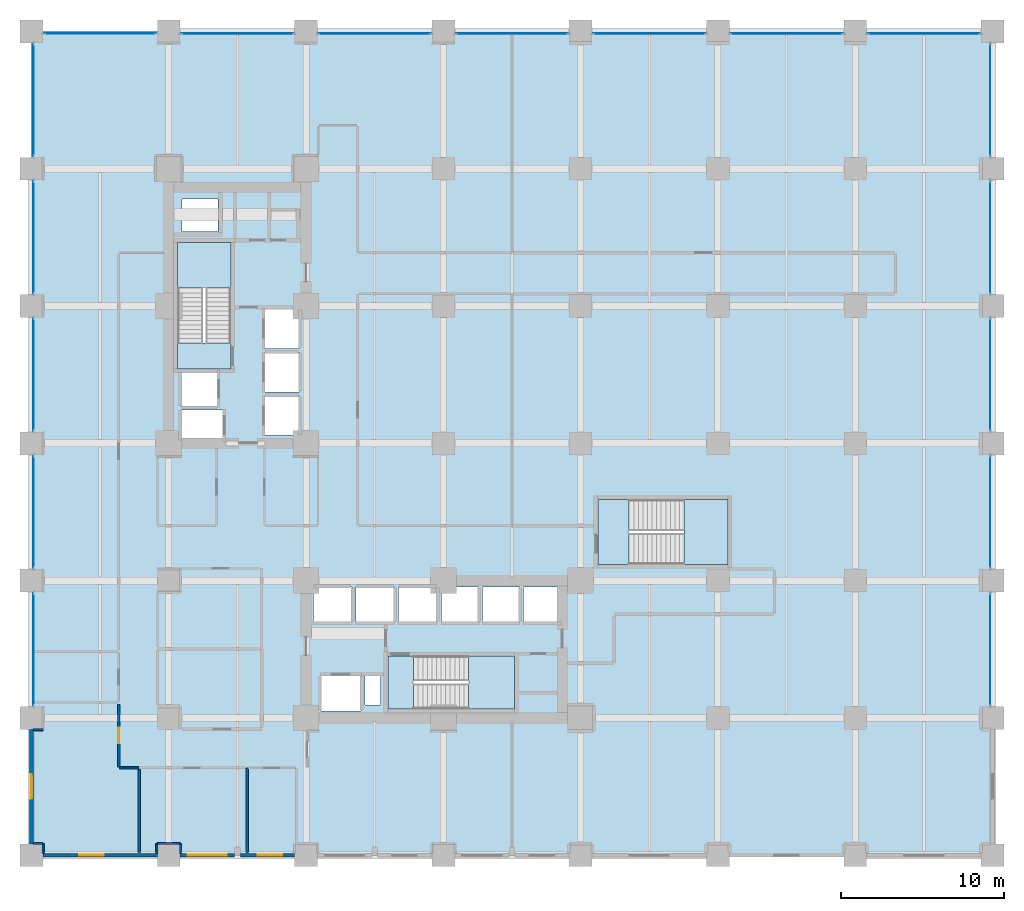
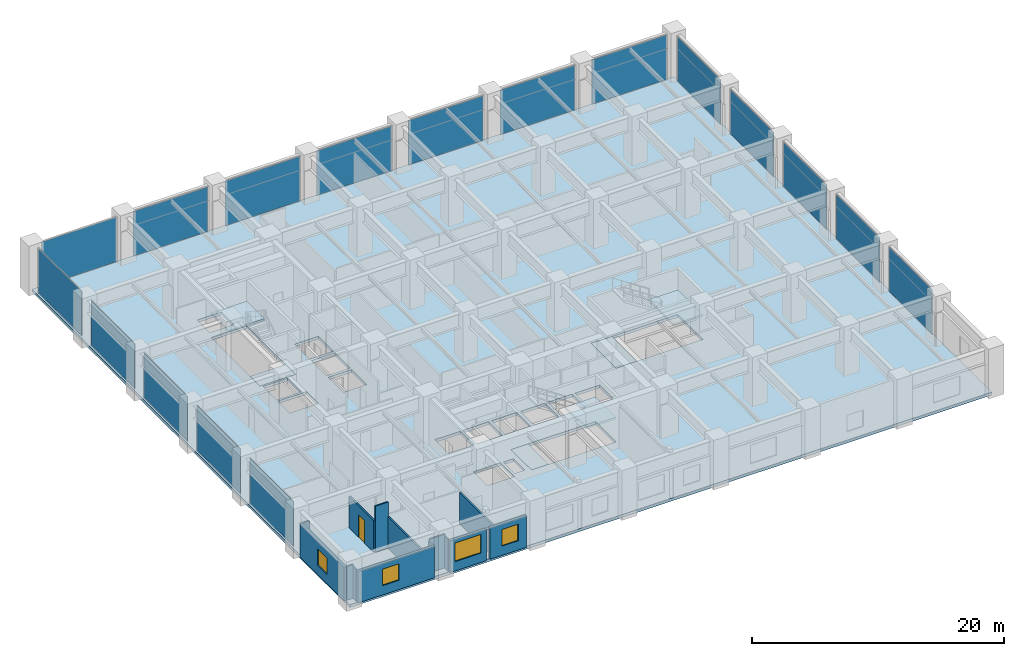
# One storey, part 18 of 24: 17 plates, 14 walls, 7 slabs, 4 windows, 1 door, 5 openings, 20 elements without a shape of their own.
"""IFC4 building model written with IfcOpenShell, lengths in metres."""

from ifc_helpers import new_model, si_unit, direction, frame, frame_2d, origin, origin_2d, place, context, subcontext, project, spatial, polyline, rectangle, outline, extrude, material, layer, layer_set, type_object, element, fill, aggregate, save


model = new_model("IFC4")

# Units and contexts
model_context = context("Model", 3, precision=1e-05, world=origin(), true_north=direction((0.0, 1.0)))
body_context = subcontext(model_context, "Body", "Model", "MODEL_VIEW")
ifc_project = project(units=[si_unit("LENGTHUNIT", "METRE"), si_unit("AREAUNIT", "SQUARE_METRE"), si_unit("VOLUMEUNIT", "CUBIC_METRE"), si_unit("PLANEANGLEUNIT", "RADIAN"), si_unit("MASSUNIT", "GRAM", prefix="KILO")], contexts=[model_context])

# Site, building, storey
site_placement = place(None, origin())
site = spatial("IfcSite", under=ifc_project, at=site_placement, CompositionType="ELEMENT")
building_placement = place(site_placement, origin())
building = spatial("IfcBuilding", under=site, at=building_placement, Name="Nerrivon Quay Data Exchange", CompositionType="ELEMENT")
storey_placement = place(building_placement, frame((0.0, 0.0, 15.0)))
storey = spatial("IfcBuildingStorey", under=building, at=storey_placement, Name="L03", CompositionType="ELEMENT", Elevation=15.0)

# Curtain wall, plate
ifc_material_1 = material(Name="Anodised aluminium 6063-T6", Category="aluminium")
ifc_layer_1 = layer(ifc_material_1, 0.239990234375)
ifc_layer_set_1 = layer_set([ifc_layer_1], Name="Anodised aluminium 6063-T6")
curtain_wall_type = type_object("IfcCurtainWallType", Name="CW-SYS-03", PredefinedType="NOTDEFINED", material=ifc_layer_set_1)
curtain_wall_1_placement = place(storey_placement, origin())
curtain_wall_1 = element("IfcCurtainWall", 1, at=curtain_wall_1_placement, inside=storey, type_object=curtain_wall_type, Name="L03 Unitised Curtain Wall 2", PredefinedType="NOTDEFINED")
ifc_material_2 = material(Name="Double-glazed low-E solar control glass", Category="glass")
ifc_layer_2 = layer(ifc_material_2, 0.031982421875)
ifc_layer_set_2 = layer_set([ifc_layer_2], Name="Double-glazed low-E solar control glass")
plate_type = type_object("IfcPlateType", Name="CWP-GLZ-32", PredefinedType="CURTAIN_PANEL", material=ifc_layer_set_2)
plate_1_placement = place(storey_placement, frame((0.139892578125, 12.60009765625, 0.06494140625), z_axis=(0.0, 0.0, 1.0), x_axis=(0.0, 1.0, 0.0)))
plate_1 = element("IfcPlate", 2, at=plate_1_placement, type_object=plate_type, Name="CW03 panel 1.1", PredefinedType="CURTAIN_PANEL", context=body_context, shape_type="SweptSolid", body=[
    extrude(rectangle(XDim=6.85009765625, YDim=0.028076171875, at=origin_2d()), origin(), (0.0, 0.0, 1.0), 4.320068359375),
])
aggregate(curtain_wall_1, [plate_1])

curtain_wall_2_placement = place(storey_placement, origin())
curtain_wall_2 = element("IfcCurtainWall", 3, at=curtain_wall_2_placement, inside=storey, type_object=curtain_wall_type, Name="L03 Unitised Curtain Wall 3", PredefinedType="NOTDEFINED")
plate_2_placement = place(storey_placement, frame((0.139892578125, 21.0, 0.06494140625), z_axis=(0.0, 0.0, 1.0), x_axis=(0.0, 1.0, 0.0)))
plate_2 = element("IfcPlate", 4, at=plate_2_placement, type_object=plate_type, Name="CW03 panel 1.1", PredefinedType="CURTAIN_PANEL", context=body_context, shape_type="SweptSolid", body=[
    extrude(rectangle(XDim=6.85009765625, YDim=0.028076171875, at=origin_2d()), origin(), (0.0, 0.0, 1.0), 4.320068359375),
])
aggregate(curtain_wall_2, [plate_2])

curtain_wall_3_placement = place(storey_placement, origin())
curtain_wall_3 = element("IfcCurtainWall", 5, at=curtain_wall_3_placement, inside=storey, type_object=curtain_wall_type, Name="L03 Unitised Curtain Wall 4", PredefinedType="NOTDEFINED")
plate_3_placement = place(storey_placement, frame((0.139892578125, 29.39990234375, 0.06494140625), z_axis=(0.0, 0.0, 1.0), x_axis=(0.0, 1.0, 0.0)))
plate_3 = element("IfcPlate", 6, at=plate_3_placement, type_object=plate_type, Name="CW03 panel 1.1", PredefinedType="CURTAIN_PANEL", context=body_context, shape_type="SweptSolid", body=[
    extrude(rectangle(XDim=6.85009765625, YDim=0.028076171875, at=origin_2d()), origin(), (0.0, 0.0, 1.0), 4.320068359375),
])
aggregate(curtain_wall_3, [plate_3])

curtain_wall_4_placement = place(storey_placement, origin())
curtain_wall_4 = element("IfcCurtainWall", 7, at=curtain_wall_4_placement, inside=storey, type_object=curtain_wall_type, Name="L03 Unitised Curtain Wall 5", PredefinedType="NOTDEFINED")
plate_4_placement = place(storey_placement, frame((0.139892578125, 37.800048828125, 0.06494140625), z_axis=(0.0, 0.0, 1.0), x_axis=(0.0, 1.0, 0.0)))
plate_4 = element("IfcPlate", 8, at=plate_4_placement, type_object=plate_type, Name="CW03 panel 1.1", PredefinedType="CURTAIN_PANEL", context=body_context, shape_type="SweptSolid", body=[
    extrude(rectangle(XDim=6.85009765625, YDim=0.028076171875, at=origin_2d()), origin(), (0.0, 0.0, 1.0), 4.320068359375),
])
aggregate(curtain_wall_4, [plate_4])

curtain_wall_5_placement = place(storey_placement, origin())
curtain_wall_5 = element("IfcCurtainWall", 9, at=curtain_wall_5_placement, inside=storey, type_object=curtain_wall_type, Name="L03 Unitised Curtain Wall 6", PredefinedType="NOTDEFINED")
plate_5_placement = place(storey_placement, frame((0.139892578125, 46.199951171875, 0.06494140625), z_axis=(0.0, 0.0, 1.0), x_axis=(0.0, 1.0, 0.0)))
plate_5 = element("IfcPlate", 10, at=plate_5_placement, type_object=plate_type, Name="CW03 panel 1.1", PredefinedType="CURTAIN_PANEL", context=body_context, shape_type="SweptSolid", body=[
    extrude(rectangle(XDim=6.85009765625, YDim=0.028076171875, at=origin_2d()), origin(), (0.0, 0.0, 1.0), 4.320068359375),
])
aggregate(curtain_wall_5, [plate_5])

curtain_wall_6_placement = place(storey_placement, origin())
curtain_wall_6 = element("IfcCurtainWall", 11, at=curtain_wall_6_placement, inside=storey, type_object=curtain_wall_type, Name="L03 Unitised Curtain Wall 7", PredefinedType="NOTDEFINED")
plate_6_placement = place(storey_placement, frame((4.199951171875, 50.260009765625, 0.06494140625), z_axis=(0.0, 0.0, 1.0), x_axis=(1.0, 0.0, 0.0)))
plate_6 = element("IfcPlate", 12, at=plate_6_placement, type_object=plate_type, Name="CW03 panel 1.1", PredefinedType="CURTAIN_PANEL", context=body_context, shape_type="SweptSolid", body=[
    extrude(rectangle(XDim=6.85009765625, YDim=0.028076171875, at=origin_2d()), origin(), (0.0, 0.0, 1.0), 4.320068359375),
])
aggregate(curtain_wall_6, [plate_6])

curtain_wall_7_placement = place(storey_placement, origin())
curtain_wall_7 = element("IfcCurtainWall", 13, at=curtain_wall_7_placement, inside=storey, type_object=curtain_wall_type, Name="L03 Unitised Curtain Wall 8", PredefinedType="NOTDEFINED")
plate_7_placement = place(storey_placement, frame((12.60009765625, 50.260009765625, 0.06494140625), z_axis=(0.0, 0.0, 1.0), x_axis=(1.0, 0.0, 0.0)))
plate_7 = element("IfcPlate", 14, at=plate_7_placement, type_object=plate_type, Name="CW03 panel 1.1", PredefinedType="CURTAIN_PANEL", context=body_context, shape_type="SweptSolid", body=[
    extrude(rectangle(XDim=6.85009765625, YDim=0.028076171875, at=origin_2d()), origin(), (0.0, 0.0, 1.0), 4.320068359375),
])
aggregate(curtain_wall_7, [plate_7])

curtain_wall_8_placement = place(storey_placement, origin())
curtain_wall_8 = element("IfcCurtainWall", 15, at=curtain_wall_8_placement, inside=storey, type_object=curtain_wall_type, Name="L03 Unitised Curtain Wall 9", PredefinedType="NOTDEFINED")
plate_8_placement = place(storey_placement, frame((21.0, 50.260009765625, 0.06494140625), z_axis=(0.0, 0.0, 1.0), x_axis=(1.0, 0.0, 0.0)))
plate_8 = element("IfcPlate", 16, at=plate_8_placement, type_object=plate_type, Name="CW03 panel 1.1", PredefinedType="CURTAIN_PANEL", context=body_context, shape_type="SweptSolid", body=[
    extrude(rectangle(XDim=6.85009765625, YDim=0.028076171875, at=origin_2d()), origin(), (0.0, 0.0, 1.0), 4.320068359375),
])
aggregate(curtain_wall_8, [plate_8])

curtain_wall_9_placement = place(storey_placement, origin())
curtain_wall_9 = element("IfcCurtainWall", 17, at=curtain_wall_9_placement, inside=storey, type_object=curtain_wall_type, Name="L03 Unitised Curtain Wall 10", PredefinedType="NOTDEFINED")
plate_9_placement = place(storey_placement, frame((29.39990234375, 50.260009765625, 0.06494140625), z_axis=(0.0, 0.0, 1.0), x_axis=(1.0, 0.0, 0.0)))
plate_9 = element("IfcPlate", 18, at=plate_9_placement, type_object=plate_type, Name="CW03 panel 1.1", PredefinedType="CURTAIN_PANEL", context=body_context, shape_type="SweptSolid", body=[
    extrude(rectangle(XDim=6.85009765625, YDim=0.028076171875, at=origin_2d()), origin(), (0.0, 0.0, 1.0), 4.320068359375),
])
aggregate(curtain_wall_9, [plate_9])

curtain_wall_10_placement = place(storey_placement, origin())
curtain_wall_10 = element("IfcCurtainWall", 19, at=curtain_wall_10_placement, inside=storey, type_object=curtain_wall_type, Name="L03 Unitised Curtain Wall 11", PredefinedType="NOTDEFINED")
plate_10_placement = place(storey_placement, frame((37.800048828125, 50.260009765625, 0.06494140625), z_axis=(0.0, 0.0, 1.0), x_axis=(1.0, 0.0, 0.0)))
plate_10 = element("IfcPlate", 20, at=plate_10_placement, type_object=plate_type, Name="CW03 panel 1.1", PredefinedType="CURTAIN_PANEL", context=body_context, shape_type="SweptSolid", body=[
    extrude(rectangle(XDim=6.85009765625, YDim=0.028076171875, at=origin_2d()), origin(), (0.0, 0.0, 1.0), 4.320068359375),
])
aggregate(curtain_wall_10, [plate_10])

curtain_wall_11_placement = place(storey_placement, origin())
curtain_wall_11 = element("IfcCurtainWall", 21, at=curtain_wall_11_placement, inside=storey, type_object=curtain_wall_type, Name="L03 Unitised Curtain Wall 12", PredefinedType="NOTDEFINED")
plate_11_placement = place(storey_placement, frame((46.199951171875, 50.260009765625, 0.06494140625), z_axis=(0.0, 0.0, 1.0), x_axis=(1.0, 0.0, 0.0)))
plate_11 = element("IfcPlate", 22, at=plate_11_placement, type_object=plate_type, Name="CW03 panel 1.1", PredefinedType="CURTAIN_PANEL", context=body_context, shape_type="SweptSolid", body=[
    extrude(rectangle(XDim=6.85009765625, YDim=0.028076171875, at=origin_2d()), origin(), (0.0, 0.0, 1.0), 4.320068359375),
])
aggregate(curtain_wall_11, [plate_11])

curtain_wall_12_placement = place(storey_placement, origin())
curtain_wall_12 = element("IfcCurtainWall", 23, at=curtain_wall_12_placement, inside=storey, type_object=curtain_wall_type, Name="L03 Unitised Curtain Wall 13", PredefinedType="NOTDEFINED")
plate_12_placement = place(storey_placement, frame((54.60009765625, 50.260009765625, 0.06494140625), z_axis=(0.0, 0.0, 1.0), x_axis=(1.0, 0.0, 0.0)))
plate_12 = element("IfcPlate", 24, at=plate_12_placement, type_object=plate_type, Name="CW03 panel 1.1", PredefinedType="CURTAIN_PANEL", context=body_context, shape_type="SweptSolid", body=[
    extrude(rectangle(XDim=6.85009765625, YDim=0.028076171875, at=origin_2d()), origin(), (0.0, 0.0, 1.0), 4.320068359375),
])
aggregate(curtain_wall_12, [plate_12])

curtain_wall_13_placement = place(storey_placement, origin())
curtain_wall_13 = element("IfcCurtainWall", 25, at=curtain_wall_13_placement, inside=storey, type_object=curtain_wall_type, Name="L03 Unitised Curtain Wall 14", PredefinedType="NOTDEFINED")
plate_13_placement = place(storey_placement, frame((58.659912109375, 46.199951171875, 0.06494140625), z_axis=(0.0, 0.0, 1.0), x_axis=(0.0, -1.0, 0.0)))
plate_13 = element("IfcPlate", 26, at=plate_13_placement, type_object=plate_type, Name="CW03 panel 1.1", PredefinedType="CURTAIN_PANEL", context=body_context, shape_type="SweptSolid", body=[
    extrude(rectangle(XDim=6.85009765625, YDim=0.028076171875, at=origin_2d()), origin(), (0.0, 0.0, 1.0), 4.320068359375),
])
aggregate(curtain_wall_13, [plate_13])

curtain_wall_14_placement = place(storey_placement, origin())
curtain_wall_14 = element("IfcCurtainWall", 27, at=curtain_wall_14_placement, inside=storey, type_object=curtain_wall_type, Name="L03 Unitised Curtain Wall 15", PredefinedType="NOTDEFINED")
plate_14_placement = place(storey_placement, frame((58.659912109375, 37.800048828125, 0.06494140625), z_axis=(0.0, 0.0, 1.0), x_axis=(0.0, -1.0, 0.0)))
plate_14 = element("IfcPlate", 28, at=plate_14_placement, type_object=plate_type, Name="CW03 panel 1.1", PredefinedType="CURTAIN_PANEL", context=body_context, shape_type="SweptSolid", body=[
    extrude(rectangle(XDim=6.85009765625, YDim=0.028076171875, at=origin_2d()), origin(), (0.0, 0.0, 1.0), 4.320068359375),
])
aggregate(curtain_wall_14, [plate_14])

curtain_wall_15_placement = place(storey_placement, origin())
curtain_wall_15 = element("IfcCurtainWall", 29, at=curtain_wall_15_placement, inside=storey, type_object=curtain_wall_type, Name="L03 Unitised Curtain Wall 16", PredefinedType="NOTDEFINED")
plate_15_placement = place(storey_placement, frame((58.659912109375, 29.39990234375, 0.06494140625), z_axis=(0.0, 0.0, 1.0), x_axis=(0.0, -1.0, 0.0)))
plate_15 = element("IfcPlate", 30, at=plate_15_placement, type_object=plate_type, Name="CW03 panel 1.1", PredefinedType="CURTAIN_PANEL", context=body_context, shape_type="SweptSolid", body=[
    extrude(rectangle(XDim=6.85009765625, YDim=0.028076171875, at=origin_2d()), origin(), (0.0, 0.0, 1.0), 4.320068359375),
])
aggregate(curtain_wall_15, [plate_15])

curtain_wall_16_placement = place(storey_placement, origin())
curtain_wall_16 = element("IfcCurtainWall", 31, at=curtain_wall_16_placement, inside=storey, type_object=curtain_wall_type, Name="L03 Unitised Curtain Wall 17", PredefinedType="NOTDEFINED")
plate_16_placement = place(storey_placement, frame((58.659912109375, 21.0, 0.06494140625), z_axis=(0.0, 0.0, 1.0), x_axis=(0.0, -1.0, 0.0)))
plate_16 = element("IfcPlate", 32, at=plate_16_placement, type_object=plate_type, Name="CW03 panel 1.1", PredefinedType="CURTAIN_PANEL", context=body_context, shape_type="SweptSolid", body=[
    extrude(rectangle(XDim=6.85009765625, YDim=0.028076171875, at=origin_2d()), origin(), (0.0, 0.0, 1.0), 4.320068359375),
])
aggregate(curtain_wall_16, [plate_16])

curtain_wall_17_placement = place(storey_placement, origin())
curtain_wall_17 = element("IfcCurtainWall", 33, at=curtain_wall_17_placement, inside=storey, type_object=curtain_wall_type, Name="L03 Unitised Curtain Wall 18", PredefinedType="NOTDEFINED")
plate_17_placement = place(storey_placement, frame((58.659912109375, 12.60009765625, 0.06494140625), z_axis=(0.0, 0.0, 1.0), x_axis=(0.0, -1.0, 0.0)))
plate_17 = element("IfcPlate", 34, at=plate_17_placement, type_object=plate_type, Name="CW03 panel 1.1", PredefinedType="CURTAIN_PANEL", context=body_context, shape_type="SweptSolid", body=[
    extrude(rectangle(XDim=6.85009765625, YDim=0.028076171875, at=origin_2d()), origin(), (0.0, 0.0, 1.0), 4.320068359375),
])
aggregate(curtain_wall_17, [plate_17])

# Stair, slab
ifc_material_3 = material(Name="Concrete N50 (50 MPa)", Category="concrete")
stair_type = type_object("IfcStairType", Name="STAIR-DOG-48", PredefinedType="HALF_TURN_STAIR", material=ifc_material_3)
stair_1_placement = place(storey_placement, origin())
stair_1 = element("IfcStair", 35, at=stair_1_placement, inside=storey, type_object=stair_type, Name="L03 West Core Fire Stair ST01", PredefinedType="HALF_TURN_STAIR")
ifc_layer_3 = layer(ifc_material_3, 0.199951171875)
ifc_layer_set_3 = layer_set([ifc_layer_3], Name="Concrete N50 (50 MPa)")
slab_type_1 = type_object("IfcSlabType", Name="SLB-LAND-200", PredefinedType="LANDING", material=ifc_layer_set_3)
slab_1_placement = place(storey_placement, frame((0.0, 0.0, 2.199951171875)))
slab_1 = element("IfcSlab", 36, at=slab_1_placement, type_object=slab_type_1, Name="ST01 landing 1", PredefinedType="LANDING", context=body_context, shape_type="SweptSolid", body=[
    extrude(outline(polyline([(12.199951171875, 34.68994140625), (12.199951171875, 37.5), (8.949951171875, 37.5), (8.949951171875, 34.68994140625), (12.199951171875, 34.68994140625)])), origin(), (0.0, 0.0, 1.0), 0.199951171875),
])
aggregate(stair_1, [slab_1])

# Slab
slab_2_placement = place(storey_placement, frame((0.0, 0.0, -0.199951171875)))
element("IfcSlab", 37, at=slab_2_placement, inside=storey, type_object=slab_type_1, Name="L03 ST01 floor landing", PredefinedType="LANDING", context=body_context, shape_type="SweptSolid", body=[
    extrude(outline(polyline([(12.199951171875, 29.75), (12.199951171875, 31.330078125), (8.949951171875, 31.330078125), (8.949951171875, 29.75), (12.199951171875, 29.75)])), origin(), (0.0, 0.0, 1.0), 0.199951171875),
])

# Stair, slab
stair_2_placement = place(storey_placement, origin())
stair_2 = element("IfcStair", 38, at=stair_2_placement, inside=storey, type_object=stair_type, Name="L03 East Core Fire Stair ST02", PredefinedType="HALF_TURN_STAIR")
slab_3_placement = place(storey_placement, frame((0.0, 0.0, 2.199951171875)))
slab_3 = element("IfcSlab", 39, at=slab_3_placement, type_object=slab_type_1, Name="ST02 landing 1", PredefinedType="LANDING", context=body_context, shape_type="SweptSolid", body=[
    extrude(outline(polyline([(26.739990234375, 8.949951171875), (29.550048828125, 8.949951171875), (29.550048828125, 12.199951171875), (26.739990234375, 12.199951171875), (26.739990234375, 8.949951171875)])), origin(), (0.0, 0.0, 1.0), 0.199951171875),
])
aggregate(stair_2, [slab_3])

# Slab
slab_4_placement = place(storey_placement, frame((0.0, 0.0, -0.199951171875)))
element("IfcSlab", 40, at=slab_4_placement, inside=storey, type_object=slab_type_1, Name="L03 ST02 floor landing", PredefinedType="LANDING", context=body_context, shape_type="SweptSolid", body=[
    extrude(outline(polyline([(21.800048828125, 8.949951171875), (23.3798828125, 8.949951171875), (23.3798828125, 12.199951171875), (21.800048828125, 12.199951171875), (21.800048828125, 8.949951171875)])), origin(), (0.0, 0.0, 1.0), 0.199951171875),
])

# Stair, slab
stair_3_placement = place(storey_placement, origin())
stair_3 = element("IfcStair", 41, at=stair_3_placement, inside=storey, type_object=stair_type, Name="L03 Podium Exit Stair ST03", PredefinedType="HALF_TURN_STAIR")
slab_5_placement = place(storey_placement, frame((0.0, 0.0, 2.199951171875)))
slab_5 = element("IfcSlab", 42, at=slab_5_placement, type_object=slab_type_1, Name="ST03 landing 1", PredefinedType="LANDING", context=body_context, shape_type="SweptSolid", body=[
    extrude(outline(polyline([(39.929931640625, 17.800048828125), (42.60009765625, 17.800048828125), (42.60009765625, 21.75), (39.929931640625, 21.75), (39.929931640625, 17.800048828125)])), origin(), (0.0, 0.0, 1.0), 0.199951171875),
])
aggregate(stair_3, [slab_5])

# Slabs
slab_6_placement = place(storey_placement, frame((0.0, 0.0, -0.199951171875)))
element("IfcSlab", 43, at=slab_6_placement, inside=storey, type_object=slab_type_1, Name="L03 ST03 floor landing", PredefinedType="LANDING", context=body_context, shape_type="SweptSolid", body=[
    extrude(outline(polyline([(34.64990234375, 17.800048828125), (36.570068359375, 17.800048828125), (36.570068359375, 21.75), (34.64990234375, 21.75), (34.64990234375, 17.800048828125)])), origin(), (0.0, 0.0, 1.0), 0.199951171875),
])
ifc_layer_4 = layer(ifc_material_3, 0.320068359375)
ifc_layer_set_4 = layer_set([ifc_layer_4], Name="Concrete N50 (50 MPa)")
slab_type_2 = type_object("IfcSlabType", Name="SLB-POD-320", PredefinedType="FLOOR", material=ifc_layer_set_4)
slab_7_placement = place(storey_placement, frame((0.0, 0.0, -0.27490234375)))
element("IfcSlab", 44, at=slab_7_placement, inside=storey, type_object=slab_type_2, Name="L03 Primary Structural Slab", PredefinedType="FLOOR", context=body_context, shape_type="SweptSolid", body=[
    extrude(outline(polyline([(58.800048828125, 0.0), (58.800048828125, 50.39990234375), (0.0, 50.39990234375), (0.0, 0.0), (58.800048828125, 0.0)]), holes=[polyline([(8.949951171875, 29.75), (8.949951171875, 37.5), (12.199951171875, 37.5), (12.199951171875, 29.75), (8.949951171875, 29.75)]), polyline([(21.800048828125, 12.199951171875), (29.550048828125, 12.199951171875), (29.550048828125, 8.949951171875), (21.800048828125, 8.949951171875), (21.800048828125, 12.199951171875)]), polyline([(34.64990234375, 21.75), (42.60009765625, 21.75), (42.60009765625, 17.800048828125), (34.64990234375, 17.800048828125), (34.64990234375, 21.75)]), polyline([(30.10009765625, 16.39990234375), (32.35009765625, 16.39990234375), (32.35009765625, 14.25), (30.10009765625, 14.25), (30.10009765625, 16.39990234375)]), polyline([(27.60009765625, 16.39990234375), (29.85009765625, 16.39990234375), (29.85009765625, 14.25), (27.60009765625, 14.25), (27.60009765625, 16.39990234375)]), polyline([(25.10009765625, 16.39990234375), (27.35009765625, 16.39990234375), (27.35009765625, 14.25), (25.10009765625, 14.25), (25.10009765625, 16.39990234375)]), polyline([(22.449951171875, 16.39990234375), (24.800048828125, 16.39990234375), (24.800048828125, 14.25), (22.449951171875, 14.25), (22.449951171875, 16.39990234375)]), polyline([(19.85009765625, 16.39990234375), (22.199951171875, 16.39990234375), (22.199951171875, 14.25), (19.85009765625, 14.25), (19.85009765625, 16.39990234375)]), polyline([(20.39990234375, 11.0), (21.35009765625, 11.0), (21.35009765625, 9.199951171875), (20.39990234375, 9.199951171875), (20.39990234375, 11.0)]), polyline([(17.699951171875, 8.830078125), (17.699951171875, 11.030029296875), (20.14990234375, 11.030029296875), (20.14990234375, 8.830078125), (17.699951171875, 8.830078125)]), polyline([(17.25, 14.25), (17.25, 16.39990234375), (19.60009765625, 16.39990234375), (19.60009765625, 14.25), (17.25, 14.25)]), polyline([(14.25, 28.10009765625), (16.39990234375, 28.10009765625), (16.39990234375, 25.699951171875), (14.25, 25.699951171875), (14.25, 28.10009765625)]), polyline([(14.25, 30.75), (16.39990234375, 30.75), (16.39990234375, 28.35009765625), (14.25, 28.35009765625), (14.25, 30.75)]), polyline([(14.25, 33.39990234375), (16.39990234375, 33.39990234375), (16.39990234375, 31.0), (14.25, 31.0), (14.25, 33.39990234375)]), polyline([(9.14990234375, 27.25), (11.75, 27.25), (11.75, 25.35009765625), (9.14990234375, 25.35009765625), (9.14990234375, 27.25)]), polyline([(9.14990234375, 29.60009765625), (11.39990234375, 29.60009765625), (11.39990234375, 27.449951171875), (9.14990234375, 27.449951171875), (9.14990234375, 29.60009765625)]), polyline([(9.199951171875, 40.14990234375), (11.39990234375, 40.14990234375), (11.39990234375, 38.14990234375), (9.199951171875, 38.14990234375), (9.199951171875, 40.14990234375)])]), origin(), (0.0, 0.0, 1.0), 0.27490234375),
])

# Wall, opening, window
ifc_material_4 = material(Name="Architectural terracotta precast concrete N50 (50 MPa)", Category="masonry")
ifc_layer_5 = layer(ifc_material_4, 0.239990234375)
ifc_layer_set_5 = layer_set([ifc_layer_5], Name="Architectural terracotta precast concrete N50 (50 MPa)")
wall_type_1 = type_object("IfcWallType", Name="EW-PREC-240", PredefinedType="STANDARD", material=ifc_layer_set_5)
wall_1_placement = place(storey_placement, frame((0.0, 0.699951171875, 0.0), z_axis=(0.0, 0.0, 1.0), x_axis=(0.0, 1.0, 0.0)))
wall_1 = element("IfcWall", 45, at=wall_1_placement, inside=storey, type_object=wall_type_1, Name="L03 Podium Precast Spandrel Wall 1", PredefinedType="STANDARD", context=body_context, shape_type="SweptSolid", body=[
    extrude(rectangle(XDim=7.0, YDim=0.239990234375, at=frame_2d((3.5, 0.0))), origin(), (0.0, 0.0, 1.0), 3.25),
])
opening_1_placement = place(wall_1_placement, frame((2.75, 0.0, 0.89990234375)))
opening_1 = element("IfcOpeningElement", 46, at=opening_1_placement, cuts=wall_1, Name="Opening WN4", PredefinedType="OPENING", context=body_context, shape_type="SweptSolid", body=[
    extrude(rectangle(XDim=1.5, YDim=1.60009765625, at=frame_2d((0.75, 0.800048828125))), frame((0.0, 0.1298828125, 0.0), z_axis=(0.0, -1.0, 0.0), x_axis=(1.0, 0.0, 0.0)), (0.0, 0.0, 1.0), 0.260009765625),
])
window_type_1 = type_object("IfcWindowType", Name="WIN-W4-1500x1600", PartitioningType="SINGLE_PANEL", PredefinedType="WINDOW", material=ifc_material_2)
window_1_placement = place(opening_1_placement, origin())
window_1 = element("IfcWindow", 47, at=window_1_placement, inside=storey, type_object=window_type_1, Name="L03 Solar Facade Window 1", OverallHeight=1.60009765625, OverallWidth=1.5, PartitioningType="SINGLE_PANEL", PredefinedType="WINDOW", context=body_context, shape_type="SweptSolid", body=[
    extrude(rectangle(XDim=1.5, YDim=1.60009765625, at=frame_2d((0.75, 0.800048828125))), frame((0.0, 0.030029296875, 0.0), z_axis=(0.0, -1.0, 0.0), x_axis=(1.0, 0.0, 0.0)), (0.0, 0.0, 1.0), 0.06005859375),
])
fill(opening_1, window_1)

wall_2_placement = place(storey_placement, frame((16.10009765625, 0.0, 0.0), z_axis=(0.0, 0.0, 1.0), x_axis=(-1.0, 0.0, 0.0)))
wall_2 = element("IfcWall", 48, at=wall_2_placement, inside=storey, type_object=wall_type_1, Name="L03 Podium Precast Spandrel Wall 27", PredefinedType="STANDARD", context=body_context, shape_type="SweptSolid", body=[
    extrude(rectangle(XDim=3.3251953125, YDim=0.239990234375, at=frame_2d((1.66259765625, 0.0))), origin(), (0.0, 0.0, 1.0), 3.050048828125),
])
opening_2_placement = place(wall_2_placement, frame((0.7451171875, 0.0, 0.89990234375)))
opening_2 = element("IfcOpeningElement", 49, at=opening_2_placement, cuts=wall_2, Name="Opening WN4", PredefinedType="OPENING", context=body_context, shape_type="SweptSolid", body=[
    extrude(rectangle(XDim=1.5, YDim=1.60009765625, at=frame_2d((0.75, 0.800048828125))), frame((0.0, 0.1298828125, 0.0), z_axis=(0.0, -1.0, 0.0), x_axis=(1.0, 0.0, 0.0)), (0.0, 0.0, 1.0), 0.260009765625),
])
window_2_placement = place(opening_2_placement, origin())
window_2 = element("IfcWindow", 50, at=window_2_placement, inside=storey, type_object=window_type_1, Name="L03 Solar Facade Window 27", OverallHeight=1.60009765625, OverallWidth=1.5, PartitioningType="SINGLE_PANEL", PredefinedType="WINDOW", context=body_context, shape_type="SweptSolid", body=[
    extrude(rectangle(XDim=1.5, YDim=1.60009765625, at=frame_2d((0.75, 0.800048828125))), frame((0.0, 0.030029296875, 0.0), z_axis=(0.0, -1.0, 0.0), x_axis=(1.0, 0.0, 0.0)), (0.0, 0.0, 1.0), 0.06005859375),
])
fill(opening_2, window_2)

wall_3_placement = place(storey_placement, frame((12.425048828125, 0.0, 0.0), z_axis=(0.0, 0.0, 1.0), x_axis=(-1.0, 0.0, 0.0)))
wall_3 = element("IfcWall", 51, at=wall_3_placement, inside=storey, type_object=wall_type_1, Name="L03 Podium Precast Spandrel Wall 28", PredefinedType="STANDARD", context=body_context, shape_type="SweptSolid", body=[
    extrude(rectangle(XDim=3.324951171875, YDim=0.239990234375, at=frame_2d((1.66259765625, 0.0))), origin(), (0.0, 0.0, 1.0), 3.050048828125),
])
opening_3_placement = place(wall_3_placement, frame((0.46240234375, 0.0, 0.89990234375)))
opening_3 = element("IfcOpeningElement", 52, at=opening_3_placement, cuts=wall_3, Name="Opening WN1", PredefinedType="OPENING", context=body_context, shape_type="SweptSolid", body=[
    extrude(rectangle(XDim=2.39990234375, YDim=1.800048828125, at=frame_2d((1.199951171875, 0.89990234375))), frame((0.0, 0.1298828125, 0.0), z_axis=(0.0, -1.0, 0.0), x_axis=(1.0, 0.0, 0.0)), (0.0, 0.0, 1.0), 0.260009765625),
])
window_type_2 = type_object("IfcWindowType", Name="WIN-W1-2400x1800", PartitioningType="SINGLE_PANEL", PredefinedType="WINDOW", material=ifc_material_2)
window_3_placement = place(opening_3_placement, origin())
window_3 = element("IfcWindow", 53, at=window_3_placement, inside=storey, type_object=window_type_2, Name="L03 Solar Facade Window 28", OverallHeight=1.800048828125, OverallWidth=2.39990234375, PartitioningType="SINGLE_PANEL", PredefinedType="WINDOW", context=body_context, shape_type="SweptSolid", body=[
    extrude(rectangle(XDim=2.39990234375, YDim=1.800048828125, at=frame_2d((1.199951171875, 0.89990234375))), frame((0.0, 0.030029296875, 0.0), z_axis=(0.0, -1.0, 0.0), x_axis=(1.0, 0.0, 0.0)), (0.0, 0.0, 1.0), 0.06005859375),
])
fill(opening_3, window_3)

wall_4_placement = place(storey_placement, frame((7.699951171875, 0.0, 0.0), z_axis=(0.0, 0.0, 1.0), x_axis=(-1.0, 0.0, 0.0)))
wall_4 = element("IfcWall", 54, at=wall_4_placement, inside=storey, type_object=wall_type_1, Name="L03 Podium Precast Spandrel Wall 29", PredefinedType="STANDARD", context=body_context, shape_type="SweptSolid", body=[
    extrude(rectangle(XDim=7.0, YDim=0.239990234375, at=frame_2d((3.5, 0.0))), origin(), (0.0, 0.0, 1.0), 3.050048828125),
])
opening_4_placement = place(wall_4_placement, frame((3.27001953125, 0.0, 0.89990234375)))
opening_4 = element("IfcOpeningElement", 55, at=opening_4_placement, cuts=wall_4, Name="Opening WN4", PredefinedType="OPENING", context=body_context, shape_type="SweptSolid", body=[
    extrude(rectangle(XDim=1.5, YDim=1.60009765625, at=frame_2d((0.75, 0.800048828125))), frame((0.0, 0.1298828125, 0.0), z_axis=(0.0, -1.0, 0.0), x_axis=(1.0, 0.0, 0.0)), (0.0, 0.0, 1.0), 0.260009765625),
])
window_4_placement = place(opening_4_placement, origin())
window_4 = element("IfcWindow", 56, at=window_4_placement, inside=storey, type_object=window_type_1, Name="L03 Solar Facade Window 29", OverallHeight=1.60009765625, OverallWidth=1.5, PartitioningType="SINGLE_PANEL", PredefinedType="WINDOW", context=body_context, shape_type="SweptSolid", body=[
    extrude(rectangle(XDim=1.5, YDim=1.60009765625, at=frame_2d((0.75, 0.800048828125))), frame((0.0, 0.030029296875, 0.0), z_axis=(0.0, -1.0, 0.0), x_axis=(1.0, 0.0, 0.0)), (0.0, 0.0, 1.0), 0.06005859375),
])
fill(opening_4, window_4)

# Walls
ifc_material_5 = material(Name="Gypsum plasterboard on cold-formed framing", Category="gypsum")
ifc_layer_6 = layer(ifc_material_5, 0.1201171875)
ifc_layer_set_6 = layer_set([ifc_layer_6], Name="Gypsum plasterboard on cold-formed framing")
wall_type_2 = type_object("IfcWallType", Name="WALL-PT-120", PredefinedType="PARTITIONING", material=ifc_layer_set_6)
wall_5_placement = place(storey_placement, frame((7.679931640625, 0.1240234375, 0.0), z_axis=(0.0, 0.0, 1.0), x_axis=(0.0, 1.0, 0.0)))
element("IfcWall", 57, at=wall_5_placement, inside=storey, type_object=wall_type_2, Name="L03 Partition Optical Engineering Studios Workspace", PredefinedType="PARTITIONING", context=body_context, shape_type="SweptSolid", body=[
    extrude(rectangle(XDim=0.575927734375, YDim=0.1201171875, at=frame_2d((0.2880859375, 0.0))), origin(), (0.0, 0.0, 1.0), 3.050048828125),
])
wall_6_placement = place(storey_placement, frame((7.696044921875, 0.719482421875, 0.0), z_axis=(0.0, 0.0, 1.0), x_axis=(0.99999993953, 0.000347765585, 0.0)))
element("IfcWall", 58, at=wall_6_placement, inside=storey, type_object=wall_type_2, Name="L03 Partition Optical Engineering Studios Workspace", PredefinedType="PARTITIONING", context=body_context, shape_type="SweptSolid", body=[
    extrude(rectangle(XDim=1.404052734375, YDim=0.1201171875, at=frame_2d((0.7021484375, 0.0))), origin(), (0.0, 0.0, 1.0), 3.25),
])
wall_7_placement = place(storey_placement, frame((9.1201171875, 0.699951171875, 0.0), z_axis=(0.0, 0.0, 1.0), x_axis=(0.0, -1.0, 0.0)))
element("IfcWall", 59, at=wall_7_placement, inside=storey, type_object=wall_type_2, Name="L03 Partition Optical Engineering Studios Workspace", PredefinedType="PARTITIONING", context=body_context, shape_type="SweptSolid", body=[
    extrude(rectangle(XDim=0.575927734375, YDim=0.1201171875, at=frame_2d((0.2880859375, 0.0))), origin(), (0.0, 0.0, 1.0), 3.050048828125),
])
for number, where, z_axis, x_axis, name in (
    (60, (0.699951171875, 7.679931640625, 0.0), (0.0, 0.0, 1.0), (-1.0, 0.0, 0.0), "L03 Partition Staff Bistro"),
    (61, (0.1240234375, 0.719970703125, 0.0), (0.0, 0.0, 1.0), (1.0, 0.0, 0.0), "L03 Partition Staff Bistro"),
):
    element("IfcWall", number, at=place(storey_placement, frame(where, z_axis=z_axis, x_axis=x_axis)), inside=storey, type_object=wall_type_2, Name=name, PredefinedType="PARTITIONING", context=body_context, shape_type="SweptSolid", body=[
        extrude(rectangle(XDim=0.575927734375, YDim=0.1201171875, at=frame_2d((0.2880859375, 0.0))), origin(), (0.0, 0.0, 1.0), 3.25),
    ])
wall_8_placement = place(storey_placement, frame((0.719970703125, 0.699951171875, 0.0), z_axis=(0.0, 0.0, 1.0), x_axis=(0.0, -1.0, 0.0)))
element("IfcWall", 62, at=wall_8_placement, inside=storey, type_object=wall_type_2, Name="L03 Partition Staff Bistro", PredefinedType="PARTITIONING", context=body_context, shape_type="SweptSolid", body=[
    extrude(rectangle(XDim=0.575927734375, YDim=0.1201171875, at=frame_2d((0.2880859375, 0.0))), origin(), (0.0, 0.0, 1.0), 3.050048828125),
])
wall_9_placement = place(storey_placement, frame((6.570068359375, 5.340087890625, 0.0), z_axis=(0.0, 0.0, 1.0), x_axis=(-1.0, 0.0, 0.0)))
element("IfcWall", 63, at=wall_9_placement, inside=storey, type_object=wall_type_2, Name="L03 Partition Staff Bistro", PredefinedType="PARTITIONING", context=body_context, shape_type="SweptSolid", body=[
    extrude(rectangle(XDim=1.170166015625, YDim=0.1201171875, at=frame_2d((0.5849609375, 0.0))), origin(), (0.0, 0.0, 1.0), 4.449951171875),
])
ifc_layer_7 = layer(ifc_material_5, 0.135009765625)
ifc_layer_set_7 = layer_set([ifc_layer_7], Name="Gypsum plasterboard on cold-formed framing")
wall_type_3 = type_object("IfcWallType", Name="WALL-PT-135", PredefinedType="PARTITIONING", material=ifc_layer_set_7)
wall_10_placement = place(storey_placement, frame((13.199951171875, 5.340087890625, 0.0), z_axis=(0.0, 0.0, 1.0), x_axis=(0.0, -1.0, 0.0)))
element("IfcWall", 64, at=wall_10_placement, inside=storey, type_object=wall_type_3, Name="L03 Partition Accessible Toilet", PredefinedType="PARTITIONING", context=body_context, shape_type="SweptSolid", body=[
    extrude(rectangle(XDim=5.216064453125, YDim=0.135009765625, at=frame_2d((2.60791015625, 0.0))), origin(), (0.0, 0.0, 1.0), 3.050048828125),
])
wall_11_placement = place(storey_placement, frame((6.590087890625, 5.260986328125, 0.0), z_axis=(0.0, 0.0, 1.0), x_axis=(0.0, -1.0, 0.0)))
element("IfcWall", 65, at=wall_11_placement, inside=storey, type_object=wall_type_3, Name="L03 Partition Optical Engineering Studios Workspace", PredefinedType="PARTITIONING", context=body_context, shape_type="SweptSolid", body=[
    extrude(rectangle(XDim=5.136962890625, YDim=0.135009765625, at=frame_2d((2.568359375, 0.0))), origin(), (0.0, 0.0, 1.0), 3.050048828125),
])

# Wall, opening, door
wall_12_placement = place(storey_placement, frame((5.34033203125, 5.39404296875, 0.0), z_axis=(0.0, 0.0, 1.0), x_axis=(-6.3645621e-05, 0.999999997975, 0.0)))
wall_12 = element("IfcWall", 66, at=wall_12_placement, inside=storey, type_object=wall_type_3, Name="L03 Partition Staff Bistro", PredefinedType="PARTITIONING", context=body_context, shape_type="SweptSolid", body=[
    extrude(rectangle(XDim=3.8359375, YDim=0.135009765625, at=frame_2d((1.91796875, 0.0))), origin(), (0.0, 0.0, 1.0), 3.050048828125),
])
opening_5_placement = place(wall_12_placement, frame((1.443115234375, 0.0, 0.0)))
opening_5 = element("IfcOpeningElement", 67, at=opening_5_placement, cuts=wall_12, Name="Opening D-01", PredefinedType="OPENING", context=body_context, shape_type="SweptSolid", body=[
    extrude(rectangle(XDim=0.949951171875, YDim=2.14990234375, at=frame_2d((0.47509765625, 1.074951171875))), frame((0.0, 0.077392578125, 0.0), z_axis=(0.0, -1.0, 0.0), x_axis=(1.0, 0.0, 0.0)), (0.0, 0.0, 1.0), 0.155029296875),
])
ifc_material_6 = material(Name="Engineered hardwood timber", Category="wood")
door_type = type_object("IfcDoorType", Name="DR-INT-950", OperationType="NOTDEFINED", PredefinedType="DOOR", material=ifc_material_6)
door_placement = place(opening_5_placement, origin())
door = element("IfcDoor", 68, at=door_placement, inside=storey, type_object=door_type, Name="L03 Door Staff Bistro", OperationType="SINGLE_SWING_LEFT", OverallHeight=2.14990234375, OverallWidth=0.949951171875, PredefinedType="DOOR", context=body_context, shape_type="SweptSolid", body=[
    extrude(rectangle(XDim=0.949951171875, YDim=2.14990234375, at=frame_2d((0.47509765625, 1.074951171875))), frame((0.0, 0.02490234375, 0.0), z_axis=(0.0, -1.0, 0.0), x_axis=(1.0, 0.0, 0.0)), (0.0, 0.0, 1.0), 0.050048828125),
])
fill(opening_5, door)

save(model, "model.ifc")
